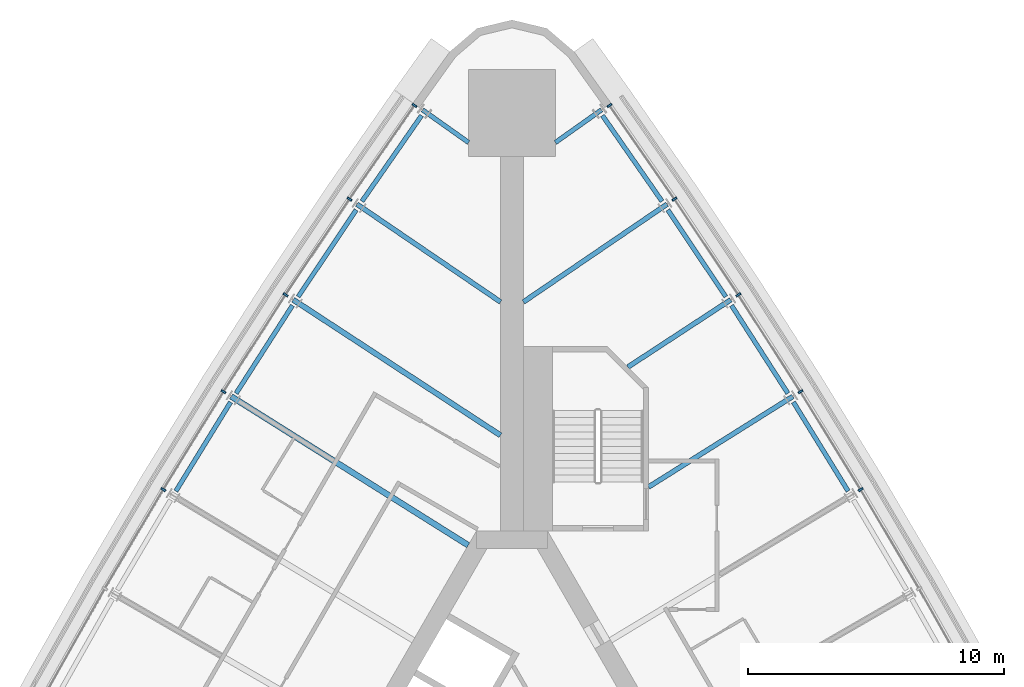
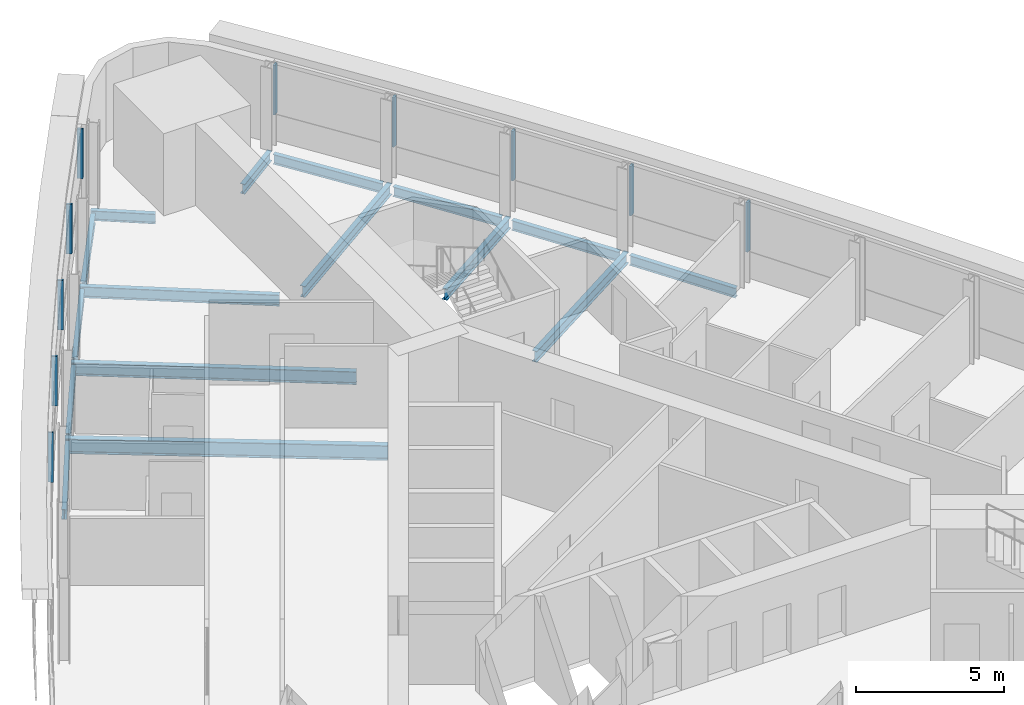
# One storey, part 8 of 15: 16 beams, 10 members, 2 elements without a shape of their own.
"""IFC4 building model written with IfcOpenShell, lengths in metres."""

from ifc_helpers import new_model, si_unit, direction, frame, origin, origin_2d, place, context, subcontext, project, spatial, rectangle, i_section, extrude, material, material_profile, profile_set, type_object, element, aggregate, save


model = new_model("IFC4")

# Units and contexts
model_context = context("Model", 3, precision=1e-05, world=origin(), true_north=direction((0.0, 1.0)))
body_context = subcontext(model_context, "Body", "Model", "MODEL_VIEW")
ifc_project = project(units=[si_unit("LENGTHUNIT", "METRE"), si_unit("AREAUNIT", "SQUARE_METRE"), si_unit("VOLUMEUNIT", "CUBIC_METRE"), si_unit("PLANEANGLEUNIT", "RADIAN"), si_unit("MASSUNIT", "GRAM", prefix="KILO")], contexts=[model_context])

# Site, building, storey
site_placement = place(None, origin())
site = spatial("IfcSite", under=ifc_project, at=site_placement, CompositionType="ELEMENT")
building_placement = place(site_placement, origin())
building = spatial("IfcBuilding", under=site, at=building_placement, Name="Noor Cloister Tower", CompositionType="ELEMENT")
storey_placement = place(building_placement, frame((0.0, 0.0, 27.60009765625)))
storey = spatial("IfcBuildingStorey", under=building, at=storey_placement, Name="L06", CompositionType="ELEMENT", Elevation=27.60009765625)

# Curtain wall, members
ifc_material_1 = material(Name="Aluminium 6063-T6 anodised", Category="aluminium")
curtain_wall_type = type_object("IfcCurtainWallType", Name="Ribbon curtain wall, lower tower CW1", PredefinedType="NOTDEFINED", material=ifc_material_1)
curtain_wall_1_placement = place(storey_placement, origin())
curtain_wall_1 = element("IfcCurtainWall", 1, at=curtain_wall_1_placement, inside=storey, type_object=curtain_wall_type, Name="CW1 L06 NW run 1", PredefinedType="NOTDEFINED")
ifc_material_2 = material(Name="Aluminium 6063-T6 anodised", Category="aluminium")
ifc_material_profile_1 = material_profile(ifc_material_2, rectangle(XDim=0.199951171875, YDim=0.080078125, at=origin_2d()), Name="200 x 80 mullion")
ifc_profile_set_1 = profile_set([ifc_material_profile_1], Name="Aluminium 6063-T6 anodised")
member_type = type_object("IfcMemberType", Name="Mullion CW1 80 x 200", PredefinedType="MULLION", material=ifc_profile_set_1)
member_1_placement = place(storey_placement, frame((-3.810546875, 28.087890625, 1.099853515625), z_axis=(0.0, 0.0, 1.0), x_axis=(0.821310840472, -0.570480940369, 0.0)))
member_1 = element("IfcMember", 2, at=member_1_placement, type_object=member_type, Name="CW1 mullion 1", PredefinedType="MULLION", context=body_context, shape_type="SweptSolid", body=[
    extrude(rectangle(XDim=0.199951171875, YDim=0.080078125, at=origin_2d()), origin(), (0.0, 0.0, 1.0), 2.050048828125),
])
member_2_placement = place(storey_placement, frame((-6.354248046875, 24.425537109375, 1.099853515625), z_axis=(0.0, 0.0, 1.0), x_axis=(0.826567745426, -0.562837243101, 0.0)))
member_2 = element("IfcMember", 3, at=member_2_placement, type_object=member_type, Name="CW1 mullion 2", PredefinedType="MULLION", context=body_context, shape_type="SweptSolid", body=[
    extrude(rectangle(XDim=0.199951171875, YDim=0.080078125, at=origin_2d()), origin(), (0.0, 0.0, 1.0), 2.050048828125),
])
member_3_placement = place(storey_placement, frame((-8.851318359375, 20.684326171875, 1.099853515625), z_axis=(0.0, 0.0, 1.0), x_axis=(0.83686770291, -0.547405195287, 0.0)))
member_3 = element("IfcMember", 4, at=member_3_placement, type_object=member_type, Name="CW1 mullion 3", PredefinedType="MULLION", context=body_context, shape_type="SweptSolid", body=[
    extrude(rectangle(XDim=0.199951171875, YDim=0.080078125, at=origin_2d()), origin(), (0.0, 0.0, 1.0), 2.050048828125),
])
member_4_placement = place(storey_placement, frame((-11.278564453125, 16.8974609375, 1.099853515625), z_axis=(0.0, 0.0, 1.0), x_axis=(0.846879579379, -0.531784710227, 0.0)))
member_4 = element("IfcMember", 5, at=member_4_placement, type_object=member_type, Name="CW1 mullion 4", PredefinedType="MULLION", context=body_context, shape_type="SweptSolid", body=[
    extrude(rectangle(XDim=0.199951171875, YDim=0.080078125, at=origin_2d()), origin(), (0.0, 0.0, 1.0), 2.050048828125),
])
member_5_placement = place(storey_placement, frame((-13.63525390625, 13.06591796875, 1.099853515625), z_axis=(0.0, 0.0, 1.0), x_axis=(0.856599928372, -0.515981165076, 0.0)))
member_5 = element("IfcMember", 6, at=member_5_placement, type_object=member_type, Name="CW1 mullion 5", PredefinedType="MULLION", context=body_context, shape_type="SweptSolid", body=[
    extrude(rectangle(XDim=0.199951171875, YDim=0.080078125, at=origin_2d()), origin(), (0.0, 0.0, 1.0), 2.050048828125),
])
aggregate(curtain_wall_1, [member_1, member_2, member_3, member_4, member_5])

curtain_wall_2_placement = place(storey_placement, origin())
curtain_wall_2 = element("IfcCurtainWall", 7, at=curtain_wall_2_placement, inside=storey, type_object=curtain_wall_type, Name="CW1 L06 NE run 3", PredefinedType="NOTDEFINED")
member_6_placement = place(storey_placement, frame((13.63525390625, 13.06591796875, 1.099853515625), z_axis=(0.0, 0.0, 1.0), x_axis=(-0.856599928372, -0.515981165076, 0.0)))
member_6 = element("IfcMember", 8, at=member_6_placement, type_object=member_type, Name="CW1 mullion 7", PredefinedType="MULLION", context=body_context, shape_type="SweptSolid", body=[
    extrude(rectangle(XDim=0.199951171875, YDim=0.080078125, at=origin_2d()), origin(), (0.0, 0.0, 1.0), 2.050048828125),
])
member_7_placement = place(storey_placement, frame((11.278564453125, 16.8974609375, 1.099853515625), z_axis=(0.0, 0.0, 1.0), x_axis=(-0.846879579379, -0.531784710227, 0.0)))
member_7 = element("IfcMember", 9, at=member_7_placement, type_object=member_type, Name="CW1 mullion 8", PredefinedType="MULLION", context=body_context, shape_type="SweptSolid", body=[
    extrude(rectangle(XDim=0.199951171875, YDim=0.080078125, at=origin_2d()), origin(), (0.0, 0.0, 1.0), 2.050048828125),
])
member_8_placement = place(storey_placement, frame((8.851318359375, 20.684326171875, 1.099853515625), z_axis=(0.0, 0.0, 1.0), x_axis=(-0.83686770291, -0.547405195287, 0.0)))
member_8 = element("IfcMember", 10, at=member_8_placement, type_object=member_type, Name="CW1 mullion 9", PredefinedType="MULLION", context=body_context, shape_type="SweptSolid", body=[
    extrude(rectangle(XDim=0.199951171875, YDim=0.080078125, at=origin_2d()), origin(), (0.0, 0.0, 1.0), 2.050048828125),
])
member_9_placement = place(storey_placement, frame((6.354248046875, 24.425537109375, 1.099853515625), z_axis=(0.0, 0.0, 1.0), x_axis=(-0.826567745426, -0.562837243101, 0.0)))
member_9 = element("IfcMember", 11, at=member_9_placement, type_object=member_type, Name="CW1 mullion 10", PredefinedType="MULLION", context=body_context, shape_type="SweptSolid", body=[
    extrude(rectangle(XDim=0.199951171875, YDim=0.080078125, at=origin_2d()), origin(), (0.0, 0.0, 1.0), 2.050048828125),
])
member_10_placement = place(storey_placement, frame((3.810546875, 28.087890625, 1.099853515625), z_axis=(0.0, 0.0, 1.0), x_axis=(-0.821310840472, -0.570480940369, 0.0)))
member_10 = element("IfcMember", 12, at=member_10_placement, type_object=member_type, Name="CW1 mullion 11", PredefinedType="MULLION", context=body_context, shape_type="SweptSolid", body=[
    extrude(rectangle(XDim=0.199951171875, YDim=0.080078125, at=origin_2d()), origin(), (0.0, 0.0, 1.0), 2.050048828125),
])
aggregate(curtain_wall_2, [member_6, member_7, member_8, member_9, member_10])

# Beams
ifc_material_3 = material(Name="Steel ASTM A992 Gr 50", Category="steel")
ifc_material_profile_2 = material_profile(ifc_material_3, i_section(OverallWidth=0.177978515625, OverallDepth=0.406005859375, WebThickness=0.0078125, FlangeThickness=0.0126953125, FilletRadius=0.01025390625, at=origin_2d()), Name="W410x60")
ifc_profile_set_2 = profile_set([ifc_material_profile_2], Name="Steel ASTM A992 Gr 50")
beam_type_1 = type_object("IfcBeamType", Name="Radial beam W410x60", PredefinedType="BEAM", material=ifc_profile_set_2)
for number, where, z_axis, x_axis, name in (
    (13, (-3.500244140625, 27.915771484375, -0.403076171875), (0.816037530309, -0.577998917929, 0.0), (0.577998917929, 0.816037530309, 0.0), "Radial beam NW 01 L06"),
    (14, (3.500244140625, 27.915771484375, -0.403076171875), (-0.816037530309, -0.577998917929, 0.0), (0.577998917929, -0.816037530309, 0.0), "Radial beam NE 11 L06"),
):
    element("IfcBeam", number, at=place(storey_placement, frame(where, z_axis=z_axis, x_axis=x_axis)), inside=storey, type_object=beam_type_1, Name=name, PredefinedType="BEAM", context=body_context, shape_type="SweptSolid", body=[
        extrude(i_section(OverallWidth=0.177978515625, OverallDepth=0.406005859375, WebThickness=0.0078125, FlangeThickness=0.0126953125, FilletRadius=0.01025390625, at=origin_2d()), origin(), (0.0, 0.0, 1.0), 2.2060546875),
    ])
ifc_material_4 = material(Name="Steel ASTM A992 Gr 50", Category="steel")
ifc_material_profile_3 = material_profile(ifc_material_4, i_section(OverallWidth=0.19091796875, OverallDepth=0.45703125, WebThickness=0.009033203125, FlangeThickness=0.014404296875, FilletRadius=0.01025390625, at=origin_2d()), Name="W460x74")
ifc_profile_set_3 = profile_set([ifc_material_profile_3], Name="Steel ASTM A992 Gr 50")
beam_type_2 = type_object("IfcBeamType", Name="Radial beam W460x74", PredefinedType="BEAM", material=ifc_profile_set_3)
beam_1_placement = place(storey_placement, frame((-6.0625, 24.22705078125, -0.4287109375), z_axis=(0.82656721714, -0.562838018927, 0.0), x_axis=(0.562838018927, 0.82656721714, 0.0)))
element("IfcBeam", 15, at=beam_1_placement, inside=storey, type_object=beam_type_2, Name="Radial beam NW 02 L06", PredefinedType="BEAM", context=body_context, shape_type="SweptSolid", body=[
    extrude(i_section(OverallWidth=0.19091796875, OverallDepth=0.45703125, WebThickness=0.009033203125, FlangeThickness=0.014404296875, FilletRadius=0.01025390625, at=origin_2d()), origin(), (0.0, 0.0, 1.0), 6.790283203125),
])
beam_2_placement = place(storey_placement, frame((10.979736328125, 16.709716796875, -0.4287109375), z_axis=(-0.846872723619, -0.531795628029, 0.0), x_axis=(0.531795628029, -0.846872723619, 0.0)))
element("IfcBeam", 16, at=beam_2_placement, inside=storey, type_object=beam_type_2, Name="Radial beam NE 08 L06", PredefinedType="BEAM", context=body_context, shape_type="SweptSolid", body=[
    extrude(i_section(OverallWidth=0.19091796875, OverallDepth=0.45703125, WebThickness=0.009033203125, FlangeThickness=0.014404296875, FilletRadius=0.01025390625, at=origin_2d()), origin(), (0.0, 0.0, 1.0), 6.66455078125),
])
beam_3_placement = place(storey_placement, frame((8.555908203125, 20.4912109375, -0.4287109375), z_axis=(-0.836847030542, -0.547436797697, 0.0), x_axis=(0.547436797697, -0.836847030542, 0.0)))
element("IfcBeam", 17, at=beam_3_placement, inside=storey, type_object=beam_type_2, Name="Radial beam NE 09 L06", PredefinedType="BEAM", context=body_context, shape_type="SweptSolid", body=[
    extrude(i_section(OverallWidth=0.19091796875, OverallDepth=0.45703125, WebThickness=0.009033203125, FlangeThickness=0.014404296875, FilletRadius=0.01025390625, at=origin_2d()), origin(), (0.0, 0.0, 1.0), 4.8076171875),
])
beam_4_placement = place(storey_placement, frame((6.0625, 24.22705078125, -0.4287109375), z_axis=(-0.82656721714, -0.562838018927, 0.0), x_axis=(0.562838018927, -0.82656721714, 0.0)))
element("IfcBeam", 18, at=beam_4_placement, inside=storey, type_object=beam_type_2, Name="Radial beam NE 10 L06", PredefinedType="BEAM", context=body_context, shape_type="SweptSolid", body=[
    extrude(i_section(OverallWidth=0.19091796875, OverallDepth=0.45703125, WebThickness=0.009033203125, FlangeThickness=0.014404296875, FilletRadius=0.01025390625, at=origin_2d()), origin(), (0.0, 0.0, 1.0), 6.790283203125),
])
ifc_material_5 = material(Name="Steel ASTM A992 Gr 50", Category="steel")
ifc_material_profile_4 = material_profile(ifc_material_5, i_section(OverallWidth=0.208984375, OverallDepth=0.532958984375, WebThickness=0.01025390625, FlangeThickness=0.015625, FilletRadius=0.0126953125, at=origin_2d()), Name="W530x92")
ifc_profile_set_4 = profile_set([ifc_material_profile_4], Name="Steel ASTM A992 Gr 50")
beam_type_3 = type_object("IfcBeamType", Name="Radial beam W530x92", PredefinedType="BEAM", material=ifc_profile_set_4)
beam_5_placement = place(storey_placement, frame((-8.555908203125, 20.4912109375, -0.466552734375), z_axis=(0.836865695673, -0.547408263918, 0.0), x_axis=(0.547408263918, 0.836865695673, 0.0)))
element("IfcBeam", 19, at=beam_5_placement, inside=storey, type_object=beam_type_3, Name="Radial beam NW 03 L06", PredefinedType="BEAM", context=body_context, shape_type="SweptSolid", body=[
    extrude(i_section(OverallWidth=0.208984375, OverallDepth=0.532958984375, WebThickness=0.01025390625, FlangeThickness=0.015625, FilletRadius=0.0126953125, at=origin_2d()), origin(), (0.0, 0.0, 1.0), 9.68603515625),
])
ifc_material_6 = material(Name="Steel ASTM A992 Gr 50", Category="steel")
ifc_material_profile_5 = material_profile(ifc_material_6, i_section(OverallWidth=0.22900390625, OverallDepth=0.612060546875, WebThickness=0.011962890625, FlangeThickness=0.01953125, FilletRadius=0.0126953125, at=origin_2d()), Name="W610x125")
ifc_profile_set_5 = profile_set([ifc_material_profile_5], Name="Steel ASTM A992 Gr 50")
beam_type_4 = type_object("IfcBeamType", Name="Radial beam W610x125", PredefinedType="BEAM", material=ifc_profile_set_5)
beam_6_placement = place(storey_placement, frame((-10.979736328125, 16.709716796875, -0.506103515625), z_axis=(0.846877137243, -0.531788599366, 0.0), x_axis=(0.531788599366, 0.846877137243, 0.0)))
element("IfcBeam", 20, at=beam_6_placement, inside=storey, type_object=beam_type_4, Name="Radial beam NW 04 L06", PredefinedType="BEAM", context=body_context, shape_type="SweptSolid", body=[
    extrude(i_section(OverallWidth=0.22900390625, OverallDepth=0.612060546875, WebThickness=0.011962890625, FlangeThickness=0.01953125, FilletRadius=0.0126953125, at=origin_2d()), origin(), (0.0, 0.0, 1.0), 10.94287109375),
])
ifc_material_7 = material(Name="Steel ASTM A992 Gr 50", Category="steel")
ifc_material_profile_6 = material_profile(ifc_material_7, i_section(OverallWidth=0.177978515625, OverallDepth=0.406005859375, WebThickness=0.0078125, FlangeThickness=0.0126953125, FilletRadius=0.01025390625, at=origin_2d()), Name="W410x60")
ifc_profile_set_6 = profile_set([ifc_material_profile_6], Name="Steel ASTM A992 Gr 50")
beam_type_5 = type_object("IfcBeamType", Name="Spandrel beam W410x60", PredefinedType="SPANDREL", material=ifc_profile_set_6)
beam_7_placement = place(storey_placement, frame((-3.536376953125, 27.69384765625, -0.403076171875), z_axis=(-0.570498831948, -0.821298412726, 0.0), x_axis=(0.821298412726, -0.570498831948, 0.0)))
element("IfcBeam", 21, at=beam_7_placement, inside=storey, type_object=beam_type_5, Name="Spandrel beam NW 01 L06", PredefinedType="SPANDREL", context=body_context, shape_type="SweptSolid", body=[
    extrude(i_section(OverallWidth=0.177978515625, OverallDepth=0.406005859375, WebThickness=0.0078125, FlangeThickness=0.0126953125, FilletRadius=0.01025390625, at=origin_2d()), origin(), (0.0, 0.0, 1.0), 4.08544921875),
])
for number, where, z_axis, x_axis, name in (
    (22, (-6.094482421875, 24.00439453125, -0.403076171875), (-0.555113808571, -0.831774404231, 0.0), (0.831774404231, -0.555113808571, 0.0), "Spandrel beam NW 02 L06"),
    (23, (-8.583740234375, 20.267822265625, -0.403076171875), (-0.53964873939, -0.841890276743, 0.0), (0.841890276743, -0.53964873939, 0.0), "Spandrel beam NW 03 L06"),
    (24, (-11.00341796875, 16.486083984375, -0.403076171875), (-0.523867364691, -0.851799849854, 0.0), (0.851799849854, -0.523867364691, 0.0), "Spandrel beam NW 04 L06"),
    (25, (13.143798828125, 13.005859375, -0.403076171875), (-0.523867364691, 0.851799849854, 0.0), (-0.851799849854, -0.523867364691, 0.0), "Spandrel beam NE 07 L06"),
    (26, (10.78857421875, 16.828125, -0.403076171875), (-0.53964873939, 0.841890276743, 0.0), (-0.841890276743, -0.53964873939, 0.0), "Spandrel beam NE 08 L06"),
    (27, (8.362548828125, 20.60595703125, -0.403076171875), (-0.555113808571, 0.831774404231, 0.0), (-0.831774404231, -0.555113808571, 0.0), "Spandrel beam NE 09 L06"),
):
    element("IfcBeam", number, at=place(storey_placement, frame(where, z_axis=z_axis, x_axis=x_axis)), inside=storey, type_object=beam_type_5, Name=name, PredefinedType="SPANDREL", context=body_context, shape_type="SweptSolid", body=[
        extrude(i_section(OverallWidth=0.177978515625, OverallDepth=0.406005859375, WebThickness=0.0078125, FlangeThickness=0.0126953125, FilletRadius=0.01025390625, at=origin_2d()), origin(), (0.0, 0.0, 1.0), 4.085693359375),
    ])
beam_8_placement = place(storey_placement, frame((5.8671875, 24.33837890625, -0.403076171875), z_axis=(-0.570498831948, 0.821298412726, 0.0), x_axis=(-0.821298412726, -0.570498831948, 0.0)))
element("IfcBeam", 28, at=beam_8_placement, inside=storey, type_object=beam_type_5, Name="Spandrel beam NE 10 L06", PredefinedType="SPANDREL", context=body_context, shape_type="SweptSolid", body=[
    extrude(i_section(OverallWidth=0.177978515625, OverallDepth=0.406005859375, WebThickness=0.0078125, FlangeThickness=0.0126953125, FilletRadius=0.01025390625, at=origin_2d()), origin(), (0.0, 0.0, 1.0), 4.08544921875),
])

save(model, "model.ifc")
